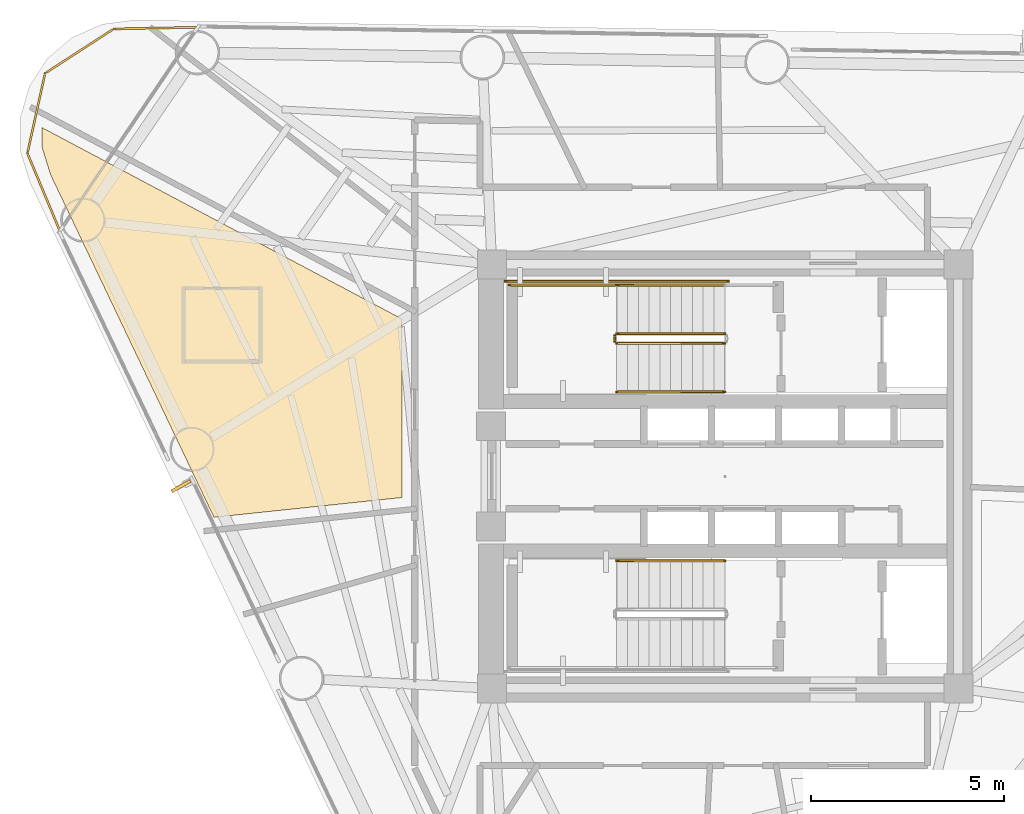
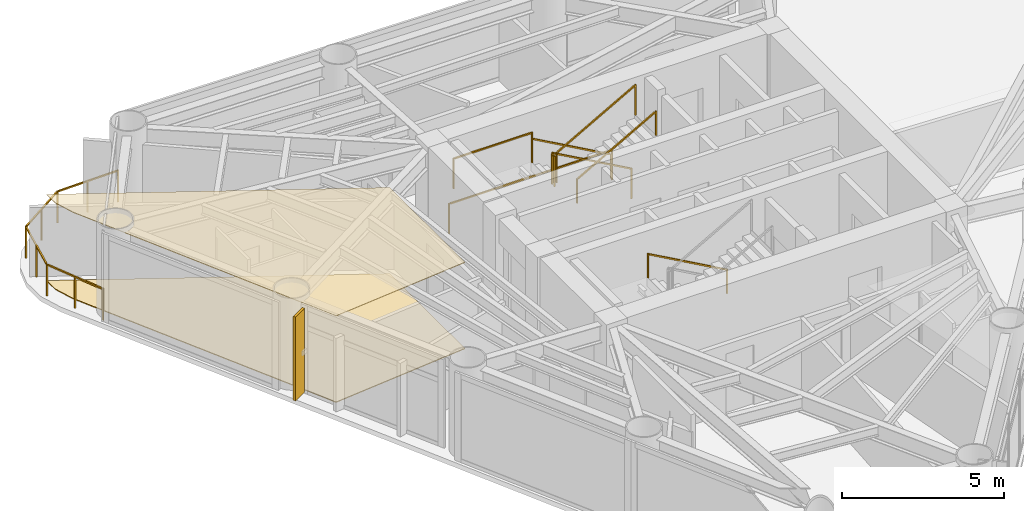
# One storey, part 8 of 10: 9 railings, 2 coverings, 1 shading device.
"""IFC4 building model written with IfcOpenShell, lengths in metres."""

from ifc_helpers import new_model, si_unit, direction, frame, origin, origin_2d, place, context, subcontext, project, spatial, polyline, rectangle, outline, extrude, source, transform, mapped, material, layer, layer_set, material_profile, profile_set, type_object, element, save


model = new_model("IFC4")

# Units and contexts
model_context = context("Model", 3, precision=1e-05, world=origin(), true_north=direction((0.0, 1.0)))
body_context = subcontext(model_context, "Body", "Model", "MODEL_VIEW")
ifc_project = project(units=[si_unit("LENGTHUNIT", "METRE"), si_unit("AREAUNIT", "SQUARE_METRE"), si_unit("VOLUMEUNIT", "CUBIC_METRE"), si_unit("PLANEANGLEUNIT", "RADIAN"), si_unit("MASSUNIT", "GRAM", prefix="KILO")], contexts=[model_context])

# Site, building, storey
site_placement = place(None, origin())
site = spatial("IfcSite", under=ifc_project, at=site_placement, CompositionType="ELEMENT")
building_placement = place(site_placement, origin())
building = spatial("IfcBuilding", under=site, at=building_placement, Name="Yunling Apex Tower", CompositionType="ELEMENT")
storey_placement = place(building_placement, frame((0.0, 0.0, 191.449951171875)))
storey = spatial("IfcBuildingStorey", under=building, at=storey_placement, Name="L46", CompositionType="ELEMENT", Elevation=191.449951171875)

# Coverings
ifc_material_1 = material(Name="Acoustic mineral fibre ceiling")
ifc_layer_1 = layer(ifc_material_1, 0.02490234375)
ifc_layer_set_1 = layer_set([ifc_layer_1], Name="Acoustic mineral fibre ceiling")
covering_type_1 = type_object("IfcCoveringType", Name="CV-CLG-1", PredefinedType="CEILING", material=ifc_layer_set_1)
covering_1_placement = place(storey_placement, frame((0.0, 0.0, 3.2451171875)))
element("IfcCovering", 1, at=covering_1_placement, inside=storey, type_object=covering_type_1, Name="CV-CL-SP-L46-GR10", PredefinedType="CEILING", context=body_context, shape_type="SweptSolid", body=[
    extrude(outline(polyline([(-17.716064453125, 9.0458984375), (-8.3798828125, 4.08203125), (-8.3798828125, -0.548828125), (-13.257080078125, -1.0615234375), (-17.495849609375, 7.8251953125), (-17.711181640625, 8.521484375), (-17.716064453125, 9.0458984375)])), origin(), (0.0, 0.0, 1.0), 0.02490234375),
])
ifc_material_2 = material(Name="Polished granite stone", Category="masonry")
ifc_layer_2 = layer(ifc_material_2, 0.030029296875)
ifc_layer_set_2 = layer_set([ifc_layer_2], Name="Polished granite stone")
covering_type_2 = type_object("IfcCoveringType", Name="CV-FLR-1", PredefinedType="FLOORING", material=ifc_layer_set_2)
covering_2_placement = place(storey_placement, origin())
element("IfcCovering", 2, at=covering_2_placement, inside=storey, type_object=covering_type_2, Name="CV-FL-SP-L46-GR10", PredefinedType="FLOORING", context=body_context, shape_type="SweptSolid", body=[
    extrude(outline(polyline([(-17.716064453125, 9.0458984375), (-8.3798828125, 4.08203125), (-8.3798828125, -0.548828125), (-13.257080078125, -1.0615234375), (-17.495849609375, 7.8251953125), (-17.711181640625, 8.521484375), (-17.716064453125, 9.0458984375)])), origin(), (0.0, 0.0, 1.0), 0.030029296875),
])

# Railings
ifc_material_3 = material(Name="Bronze anodised aluminium", Category="aluminium")
railing_type_1 = type_object("IfcRailingType", Name="RL-BAL-1200", PredefinedType="BALUSTRADE", material=ifc_material_3)
railing_1_placement = place(storey_placement, frame((-17.253662109375, 6.364990234375, 0.0)))
element("IfcRailing", 3, at=railing_1_placement, inside=storey, type_object=railing_type_1, Name="RL-CRNSILL-L46-2", PredefinedType="BALUSTRADE", context=body_context, shape_type="SweptSolid", body=[
    extrude(rectangle(XDim=0.0439453125, YDim=0.0439453125, at=origin_2d()), origin(), (0.0, 0.0, 1.0), 1.199951171875),
    extrude(rectangle(XDim=0.0439453125, YDim=0.0439453125, at=origin_2d()), frame((-0.842529296875, 2.01416015625, 0.0)), (0.0, 0.0, 1.0), 1.199951171875),
    extrude(rectangle(XDim=0.050048828125, YDim=0.050048828125, at=origin_2d()), frame((-0.014892578125, 0.035400390625, 1.1748046875), z_axis=(-0.385901306975, 0.922540070282, 0.0), x_axis=(-0.922540070282, -0.385901306975, 0.0)), (0.0, 0.0, 1.0), 2.106689453125),
    extrude(rectangle(XDim=0.0439453125, YDim=0.0439453125, at=origin_2d()), frame((-0.42138671875, 1.007080078125, 0.0)), (0.0, 0.0, 1.0), 1.14599609375),
    extrude(rectangle(XDim=0.0439453125, YDim=0.0439453125, at=origin_2d()), frame((-0.384521484375, 4.089111328125, 0.0)), (0.0, 0.0, 1.0), 1.199951171875),
    extrude(rectangle(XDim=0.050048828125, YDim=0.050048828125, at=origin_2d()), frame((-0.834228515625, 2.051513671875, 1.1748046875), z_axis=(0.215543386307, 0.976494264509, 0.0), x_axis=(-0.976494264509, 0.215543386307, 0.0)), (0.0, 0.0, 1.0), 2.04833984375),
    extrude(rectangle(XDim=0.0439453125, YDim=0.0439453125, at=origin_2d()), frame((-0.613525390625, 3.0517578125, 0.0)), (0.0, 0.0, 1.0), 1.14599609375),
    extrude(rectangle(XDim=0.0439453125, YDim=0.0439453125, at=origin_2d()), frame((1.393310546875, 5.240234375, 0.0)), (0.0, 0.0, 1.0), 1.199951171875),
    extrude(rectangle(XDim=0.050048828125, YDim=0.050048828125, at=origin_2d()), frame((-0.352294921875, 4.10986328125, 1.1748046875), z_axis=(0.839406208654, 0.543504569322, 0.0), x_axis=(-0.543504569322, 0.839406208654, 0.0)), (0.0, 0.0, 1.0), 2.041259765625),
    extrude(rectangle(XDim=0.0439453125, YDim=0.0439453125, at=origin_2d()), frame((0.50439453125, 4.66455078125, 0.0)), (0.0, 0.0, 1.0), 1.14599609375),
    extrude(rectangle(XDim=0.0439453125, YDim=0.0439453125, at=origin_2d()), frame((3.5771484375, 5.284423828125, 0.0)), (0.0, 0.0, 1.0), 1.199951171875),
    extrude(rectangle(XDim=0.050048828125, YDim=0.050048828125, at=origin_2d()), frame((1.431640625, 5.240966796875, 1.1748046875), z_axis=(0.999795339927, 0.020230626778, 0.0), x_axis=(-0.020230626778, 0.999795339927, 0.0)), (0.0, 0.0, 1.0), 2.107666015625),
    extrude(rectangle(XDim=0.0439453125, YDim=0.0439453125, at=origin_2d()), frame((2.4853515625, 5.26220703125, 0.0)), (0.0, 0.0, 1.0), 1.14599609375),
])
ifc_material_4 = material(Name="Steel Q355B", Category="steel")
railing_type_2 = type_object("IfcRailingType", Name="RL-GRD-1150", PredefinedType="GUARDRAIL", material=ifc_material_4)
railing_2_placement = place(storey_placement, frame((-0.010009765625, 3.699951171875, 0.156982421875)))
element("IfcRailing", 4, at=railing_2_placement, inside=storey, type_object=railing_type_2, Name="L46 ST-1 stair guard 1", PredefinedType="GUARDRAIL", context=body_context, shape_type="SweptSolid", body=[
    extrude(rectangle(XDim=0.0439453125, YDim=0.0439453125, at=origin_2d()), origin(), (0.0, 0.0, 1.0), 1.14990234375),
    extrude(rectangle(XDim=0.0439453125, YDim=0.0439453125, at=origin_2d()), frame((-2.800048828125, 0.0, 1.568115234375)), (0.0, 0.0, 1.0), 1.14990234375),
    extrude(rectangle(XDim=0.050048828125, YDim=0.050048828125, at=origin_2d()), frame((-0.033447265625, 0.0, 1.1435546875), z_axis=(-0.872494340497, 0.0, 0.48862421737), x_axis=(0.0, -1.0, 0.0)), (0.0, 0.0, 1.0), 3.132568359375),
])
railing_3_placement = place(storey_placement, frame((-2.860107421875, 3.64990234375, 1.72509765625)))
element("IfcRailing", 5, at=railing_3_placement, inside=storey, type_object=railing_type_2, Name="L46 ST-1 stair guard 2", PredefinedType="GUARDRAIL", context=body_context, shape_type="SweptSolid", body=[
    extrude(rectangle(XDim=0.0439453125, YDim=0.0439453125, at=origin_2d()), origin(), (0.0, 0.0, 1.0), 1.14990234375),
    extrude(rectangle(XDim=0.0439453125, YDim=0.0439453125, at=origin_2d()), frame((0.0, -0.14990234375, 0.0)), (0.0, 0.0, 1.0), 1.14990234375),
    extrude(rectangle(XDim=0.050048828125, YDim=0.050048828125, at=origin_2d()), frame((0.0, -0.038330078125, 1.125), z_axis=(0.0, -1.0, 0.0), x_axis=(1.0, 0.0, 0.0)), (0.0, 0.0, 1.0), 0.0732421875),
])
railing_4_placement = place(storey_placement, frame((-2.81005859375, 4.9599609375, 1.72509765625)))
element("IfcRailing", 6, at=railing_4_placement, inside=storey, type_object=railing_type_2, Name="L46 ST-1 stair guard 3", PredefinedType="GUARDRAIL", context=body_context, shape_type="SweptSolid", body=[
    extrude(rectangle(XDim=0.0439453125, YDim=0.0439453125, at=origin_2d()), origin(), (0.0, 0.0, 1.0), 1.14990234375),
    extrude(rectangle(XDim=0.0439453125, YDim=0.0439453125, at=origin_2d()), frame((-2.7900390625, 0.0, 0.0)), (0.0, 0.0, 1.0), 1.14990234375),
    extrude(rectangle(XDim=0.050048828125, YDim=0.050048828125, at=origin_2d()), frame((-0.038330078125, 0.0, 1.125), z_axis=(-1.0, 0.0, 0.0), x_axis=(0.0, -1.0, 0.0)), (0.0, 0.0, 1.0), 2.71337890625),
])
railing_5_placement = place(storey_placement, frame((-2.81005859375, 3.449951171875, 1.8818359375)))
element("IfcRailing", 7, at=railing_5_placement, inside=storey, type_object=railing_type_2, Name="L46 ST-1 stair guard 4", PredefinedType="GUARDRAIL", context=body_context, shape_type="SweptSolid", body=[
    extrude(rectangle(XDim=0.0439453125, YDim=0.0439453125, at=origin_2d()), origin(), (0.0, 0.0, 1.0), 1.14990234375),
    extrude(rectangle(XDim=0.0439453125, YDim=0.0439453125, at=origin_2d()), frame((2.800048828125, 0.0, 1.568115234375)), (0.0, 0.0, 1.0), 1.14990234375),
    extrude(rectangle(XDim=0.050048828125, YDim=0.050048828125, at=origin_2d()), frame((0.033447265625, 0.0, 1.1435546875), z_axis=(0.872494340497, 0.0, 0.48862421737), x_axis=(0.0, 1.0, 0.0)), (0.0, 0.0, 1.0), 3.132568359375),
])
railing_6_placement = place(storey_placement, frame((0.090087890625, 5.06005859375, 0.0)))
element("IfcRailing", 8, at=railing_6_placement, inside=storey, type_object=railing_type_2, Name="L46 ST-1 stair guard 7", PredefinedType="GUARDRAIL", context=body_context, shape_type="SweptSolid", body=[
    extrude(rectangle(XDim=0.0439453125, YDim=0.0439453125, at=origin_2d()), origin(), (0.0, 0.0, 1.0), 1.14990234375),
    extrude(rectangle(XDim=0.0439453125, YDim=0.0439453125, at=origin_2d()), frame((-5.7900390625, 0.0, 0.0)), (0.0, 0.0, 1.0), 1.14990234375),
    extrude(rectangle(XDim=0.050048828125, YDim=0.050048828125, at=origin_2d()), frame((-0.038330078125, 0.0, 1.125), z_axis=(-1.0, 0.0, 0.0), x_axis=(0.0, -1.0, 0.0)), (0.0, 0.0, 1.0), 5.71337890625),
])
ifc_material_5 = material(Name="Silver anodised aluminium", Category="aluminium")
railing_type_3 = type_object("IfcRailingType", Name="RL-HND-900", PredefinedType="HANDRAIL", material=ifc_material_5)
railing_7_placement = place(storey_placement, frame((-0.010009765625, 4.9599609375, 0.156982421875)))
element("IfcRailing", 9, at=railing_7_placement, inside=storey, type_object=railing_type_3, Name="L46 ST-1 stair handrail 1", PredefinedType="HANDRAIL", context=body_context, shape_type="SweptSolid", body=[
    extrude(rectangle(XDim=0.0439453125, YDim=0.0439453125, at=origin_2d()), origin(), (0.0, 0.0, 1.0), 0.919921875),
    extrude(rectangle(XDim=0.0439453125, YDim=0.0439453125, at=origin_2d()), frame((-2.800048828125, 0.0, 1.568115234375)), (0.0, 0.0, 1.0), 0.919921875),
    extrude(rectangle(XDim=0.050048828125, YDim=0.050048828125, at=origin_2d()), frame((-0.033447265625, 0.0, 0.91357421875), z_axis=(-0.872494340497, 0.0, 0.48862421737), x_axis=(0.0, -1.0, 0.0)), (0.0, 0.0, 1.0), 3.132568359375),
])
railing_8_placement = place(storey_placement, frame((-2.81005859375, 2.18994140625, 1.8818359375)))
element("IfcRailing", 10, at=railing_8_placement, inside=storey, type_object=railing_type_3, Name="L46 ST-1 stair handrail 2", PredefinedType="HANDRAIL", context=body_context, shape_type="SweptSolid", body=[
    extrude(rectangle(XDim=0.0439453125, YDim=0.0439453125, at=origin_2d()), origin(), (0.0, 0.0, 1.0), 0.919921875),
    extrude(rectangle(XDim=0.0439453125, YDim=0.0439453125, at=origin_2d()), frame((2.800048828125, 0.0, 1.568115234375)), (0.0, 0.0, 1.0), 0.919921875),
    extrude(rectangle(XDim=0.050048828125, YDim=0.050048828125, at=origin_2d()), frame((0.033447265625, 0.0, 0.91357421875), z_axis=(0.872494340497, 0.0, 0.48862421737), x_axis=(0.0, 1.0, 0.0)), (0.0, 0.0, 1.0), 3.132568359375),
])
railing_9_placement = place(storey_placement, frame((-0.010009765625, -2.18994140625, 0.156982421875)))
element("IfcRailing", 11, at=railing_9_placement, inside=storey, type_object=railing_type_3, Name="L46 ST-2 stair handrail 1", PredefinedType="HANDRAIL", context=body_context, shape_type="SweptSolid", body=[
    extrude(rectangle(XDim=0.0439453125, YDim=0.0439453125, at=origin_2d()), origin(), (0.0, 0.0, 1.0), 0.919921875),
    extrude(rectangle(XDim=0.0439453125, YDim=0.0439453125, at=origin_2d()), frame((-2.800048828125, 0.0, 1.568115234375)), (0.0, 0.0, 1.0), 0.919921875),
    extrude(rectangle(XDim=0.050048828125, YDim=0.050048828125, at=origin_2d()), frame((-0.033447265625, 0.0, 0.91357421875), z_axis=(-0.872494340497, 0.0, 0.48862421737), x_axis=(0.0, -1.0, 0.0)), (0.0, 0.0, 1.0), 3.132568359375),
])

# Shading device
ifc_material_profile = material_profile(ifc_material_3, rectangle(XDim=0.0849609375, YDim=0.550048828125, at=origin_2d()))
ifc_profile_set = profile_set([ifc_material_profile], Name="Bronze anodised aluminium")
shading_device_type = type_object("IfcShadingDeviceType", Name="FN-BRZ-3", PredefinedType="USERDEFINED", material=ifc_profile_set)
shared_shape = source(origin(), body_context, "Body", "SweptSolid", [
    extrude(rectangle(XDim=0.0849609375, YDim=0.550048828125, at=origin_2d()), origin(), (0.0, 0.0, 1.0), 3.14990234375),
])
shading_device_placement = place(storey_placement, frame((-14.113037109375, -0.254150390625, 0.06005859375), z_axis=(0.0, 0.0, 1.0), x_axis=(0.488621241497, -0.872496007073, 0.0)))
element("IfcShadingDevice", 12, at=shading_device_placement, inside=storey, type_object=shading_device_type, Name="CW-L46-F3-B2-FIN-01", ObjectType="FIN", PredefinedType="USERDEFINED", context=body_context, shape_type="MappedRepresentation", body=[
    mapped(shared_shape, transform((0.0, 0.0, 0.0), scale=1.0)),
])

save(model, "model.ifc")
